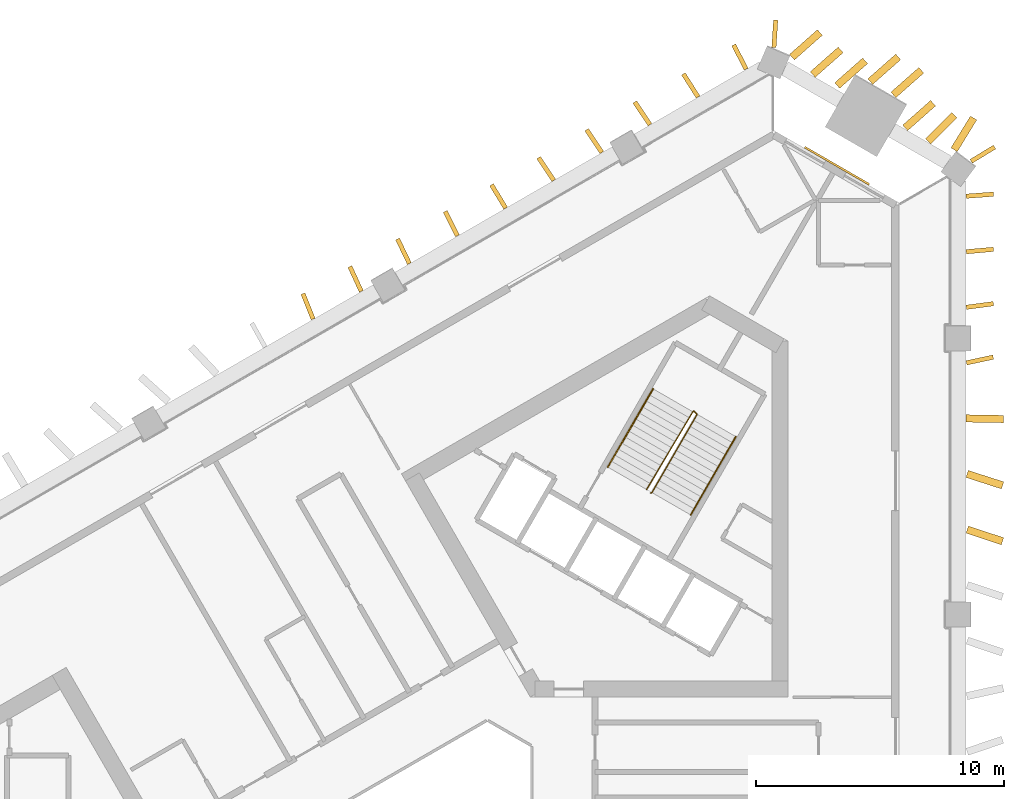
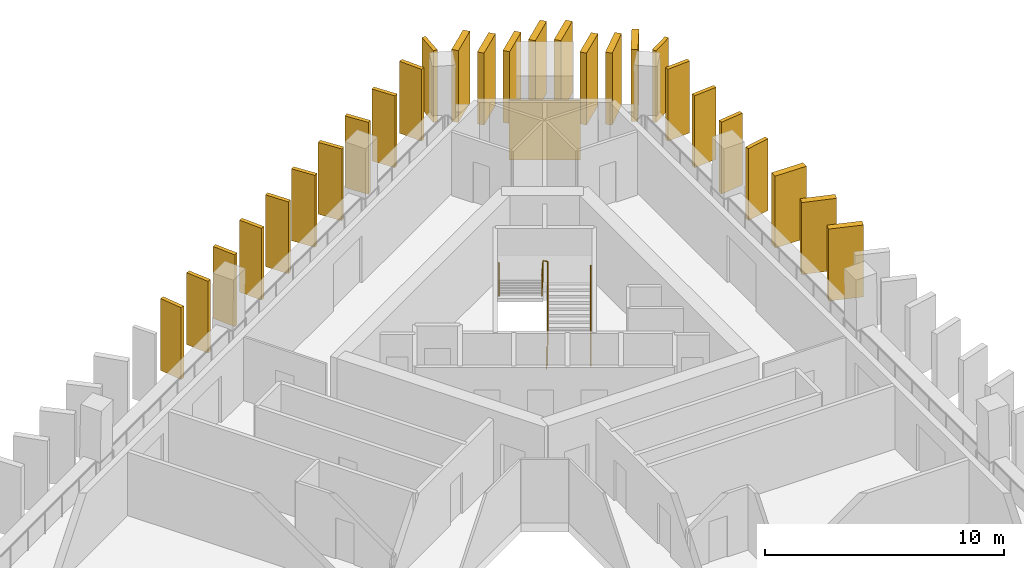
# One storey, part 11 of 11: 27 shading devices, 3 railings, 1 covering.
"""IFC4 building model written with IfcOpenShell, lengths in metres."""

import ifcopenshell
import ifcopenshell.guid

model = None  # the IFC model being written
_history = None  # IfcOwnerHistory: only IFC2X3 demands one
_inside = {}  # id of a spatial element -> (the spatial element, [elements in it])
_under = {}  # id of a project, library or spatial element -> (it, [spatial elements below it])
_declared = {}  # id of a project -> (the project, [libraries it declares])
_typed = {}  # id of a type object -> (the type object, [elements of that type])
_made_of = {}  # id of a material, layer set ... -> (it, [elements and type objects made of it])


def new_model(schema):
    """Start an empty IFC model of exactly this schema.

    Asked for "IFC4X3", IfcOpenShell would pick the latest addendum, in which some entities
    have other attributes; the version numbers below select the first issue.
    IFC2X3 requires an IfcOwnerHistory on every rooted entity: one is made here for all.
    """
    global model, _history
    if schema == "IFC4X3":
        model = ifcopenshell.file(schema_version=(4, 3, 0, 0))
    else:
        model = ifcopenshell.file(schema=schema)
    _inside.clear()
    _under.clear()
    _declared.clear()
    _typed.clear()
    _made_of.clear()
    _history = None
    if model.schema == "IFC2X3":
        org = make("IfcOrganization", Name="unknown")
        user = make(
            "IfcPersonAndOrganization",
            ThePerson=make("IfcPerson", FamilyName="unknown"),
            TheOrganization=org,
        )
        app = make(
            "IfcApplication",
            ApplicationDeveloper=org,
            Version="unknown",
            ApplicationFullName="unknown",
            ApplicationIdentifier="unknown",
        )
        _history = make(
            "IfcOwnerHistory",
            OwningUser=user,
            OwningApplication=app,
            ChangeAction="ADDED",
            CreationDate=0,
        )
    return model


def make(cls, **values):
    """One entity of the class cls with the attributes given. An attribute that is None is left unset."""
    return model.create_entity(
        cls, **{name: value for name, value in values.items() if value is not None}
    )


def rooted(cls, **values):
    """An entity with a GlobalId (a new one), such as an element, a storey or a relation."""
    return make(cls, GlobalId=ifcopenshell.guid.new(), OwnerHistory=_history, **values)


def si_unit(unit_type, name, prefix=None):
    """IfcSIUnit, for example si_unit("LENGTHUNIT", "METRE", prefix="MILLI")."""
    return make("IfcSIUnit", UnitType=unit_type, Prefix=prefix, Name=name)


def assignment(units):
    """IfcUnitAssignment: the units of a project."""
    return None if units is None else make("IfcUnitAssignment", Units=units)


def point(xyz):
    """IfcCartesianPoint."""
    return None if xyz is None else make("IfcCartesianPoint", Coordinates=xyz)


def direction(xyz):
    """IfcDirection."""
    return None if xyz is None else make("IfcDirection", DirectionRatios=xyz)


def frame(location, z_axis=None, x_axis=None):
    """IfcAxis2Placement3D, a coordinate frame: its origin and axes. An axis left out is left unset."""
    return make(
        "IfcAxis2Placement3D",
        Location=point(location),
        Axis=direction(z_axis),
        RefDirection=direction(x_axis),
    )


def frame_2d(location, x_axis=None):
    """IfcAxis2Placement2D, a coordinate frame in the plane: its origin and x axis."""
    return make(
        "IfcAxis2Placement2D", Location=point(location), RefDirection=direction(x_axis)
    )


def origin():
    """The frame at (0, 0, 0) with its axes left unset."""
    return frame((0.0, 0.0, 0.0))


def origin_2d():
    """The frame at (0, 0) in the plane with its x axis left unset."""
    return frame_2d((0.0, 0.0))


def place(relative_to, where):
    """IfcLocalPlacement: puts the frame where relative to a parent placement (None: the world)."""
    return make(
        "IfcLocalPlacement", PlacementRelTo=relative_to, RelativePlacement=where
    )


def context(
    kind, dimensions, precision=None, world=None, true_north=None, identifier=None
):
    """IfcGeometricRepresentationContext, for example the 3D "Model" context."""
    return make(
        "IfcGeometricRepresentationContext",
        ContextIdentifier=identifier,
        ContextType=kind,
        CoordinateSpaceDimension=dimensions,
        Precision=precision,
        WorldCoordinateSystem=world,
        TrueNorth=true_north,
    )


def subcontext(parent, identifier, kind, view, scale=None):
    """IfcGeometricRepresentationSubContext, for example "Body" below "Model"."""
    return make(
        "IfcGeometricRepresentationSubContext",
        ContextIdentifier=identifier,
        ContextType=kind,
        ParentContext=parent,
        TargetScale=scale,
        TargetView=view,
    )


def project(units=None, contexts=None):
    """IfcProject with its units and contexts."""
    return rooted(
        "IfcProject",
        Name="project",
        RepresentationContexts=contexts,
        UnitsInContext=assignment(units),
    )


def spatial(cls, under=None, at=None, **own):
    """A site, building, storey or space (cls), placed at a placement, below another one or the project."""
    s = rooted(cls, ObjectPlacement=at, **own)
    if under is not None:
        _under.setdefault(under.id(), (under, []))[1].append(s)
    return s


def profile(cls, at=None, kind="AREA", **sizes):
    """A parametric profile (cls). Its sizes go by their IFC names, for example OverallWidth=200.0."""
    return make(cls, ProfileType=kind, Position=at, **sizes)


def rectangle(**sizes):
    """IfcRectangleProfileDef."""
    return profile("IfcRectangleProfileDef", **sizes)


def circle(**sizes):
    """IfcCircleProfileDef."""
    return profile("IfcCircleProfileDef", **sizes)


def extrude(swept, where, along, depth):
    """IfcExtrudedAreaSolid: the profile swept, set in the frame where, extruded along a direction by depth."""
    return make(
        "IfcExtrudedAreaSolid",
        SweptArea=swept,
        Position=where,
        ExtrudedDirection=direction(along),
        Depth=depth,
    )


def shape(context_of_items, identifier, shape_type, items):
    """IfcShapeRepresentation: the items that make up one representation, for example the "Body"."""
    return make(
        "IfcShapeRepresentation",
        ContextOfItems=context_of_items,
        RepresentationIdentifier=identifier,
        RepresentationType=shape_type,
        Items=items,
    )


def material(Name=None, Category=None):
    """IfcMaterial."""
    return make("IfcMaterial", Name=Name, Category=Category)


def layer(
    of_material, thickness, ventilated=None, Name=None, Category=None, Priority=None
):
    """IfcMaterialLayer: one layer of a wall or slab, of a material (None: an air gap)."""
    return make(
        "IfcMaterialLayer",
        Material=of_material,
        LayerThickness=thickness,
        IsVentilated=ventilated,
        Name=Name,
        Category=Category,
        Priority=Priority,
    )


def layer_set(layers, Name=None):
    """IfcMaterialLayerSet."""
    return make("IfcMaterialLayerSet", MaterialLayers=layers, LayerSetName=Name)


def made_of(thing, what):
    """Note that an element or type object is made of a material, layer set ...; save() writes the relation."""
    if what is not None:
        _made_of.setdefault(what.id(), (what, []))[1].append(thing)
    return thing


def type_object(cls, material=None, **own):
    """A type object (cls), such as IfcWallType, which elements share."""
    return made_of(rooted(cls, **own), material)


def element(
    cls,
    number,
    at=None,
    inside=None,
    cuts=None,
    type_object=None,
    material=None,
    context=None,
    identifier="Body",
    shape_type=None,
    held_by="IfcProductDefinitionShape",
    body=None,
    shapes=None,
    **own,
):
    """One element of the class cls, such as IfcWall. Its Tag is "e" and its number.

    at: its placement. inside: the storey or other place that contains it. cuts: it is an
    opening in that element (IfcRelVoidsElement). A single representation is given by context,
    identifier, shape_type and body (its items); several are given by shapes. held_by: the class
    of the entity that holds the representations. save() writes the other relations.
    """
    e = rooted(cls, Tag="e%d" % number, ObjectPlacement=at, **own)
    if body is not None:
        shapes = [shape(context, identifier, shape_type, body)]
    if shapes is not None:
        e.Representation = make(held_by, Representations=shapes)
    if inside is not None:
        _inside.setdefault(inside.id(), (inside, []))[1].append(e)
    if cuts is not None:
        rooted(
            "IfcRelVoidsElement", RelatingBuildingElement=cuts, RelatedOpeningElement=e
        )
    if type_object is not None:
        _typed.setdefault(type_object.id(), (type_object, []))[1].append(e)
    return made_of(e, material)


def aggregate(whole, parts):
    """IfcRelAggregates: a whole, such as a stair, and the parts it consists of."""
    return rooted("IfcRelAggregates", RelatingObject=whole, RelatedObjects=parts)


def save(model, path):
    """Write the relations noted so far, then the file.

    IfcRelAggregates (storeys below a building ...), IfcRelContainedInSpatialStructure (elements
    in a storey), IfcRelDefinesByType, IfcRelAssociatesMaterial and IfcRelDeclares: one each for
    every whole, place, type object, material and project.
    """
    for whole, parts in _under.values():
        aggregate(whole, parts)
    for where, things in _inside.values():
        rooted(
            "IfcRelContainedInSpatialStructure",
            RelatedElements=things,
            RelatingStructure=where,
        )
    for kind, things in _typed.values():
        rooted("IfcRelDefinesByType", RelatedObjects=things, RelatingType=kind)
    for what, things in _made_of.values():
        rooted("IfcRelAssociatesMaterial", RelatedObjects=things, RelatingMaterial=what)
    for by, libraries in _declared.values():
        rooted("IfcRelDeclares", RelatingContext=by, RelatedDefinitions=libraries)
    model.write(path)


model = new_model("IFC4")

# Units and contexts
model_context = context("Model", 3, precision=1e-05, world=origin(), true_north=direction((0.0, 1.0)))
body_context = subcontext(model_context, "Body", "Model", "MODEL_VIEW")
ifc_project = project(units=[si_unit("LENGTHUNIT", "METRE"), si_unit("AREAUNIT", "SQUARE_METRE"), si_unit("VOLUMEUNIT", "CUBIC_METRE"), si_unit("PLANEANGLEUNIT", "RADIAN"), si_unit("MASSUNIT", "GRAM", prefix="KILO")], contexts=[model_context])

# Site, building, storey
site_placement = place(None, origin())
site = spatial("IfcSite", under=ifc_project, at=site_placement, CompositionType="ELEMENT")
building_placement = place(site_placement, origin())
building = spatial("IfcBuilding", under=site, at=building_placement, Name="Jabali Bay Hotel Tower and Convention Centre", CompositionType="ELEMENT")
storey_placement = place(building_placement, frame((0.0, 0.0, 143.800048828125)))
storey = spatial("IfcBuildingStorey", under=building, at=storey_placement, Name="L35", CompositionType="ELEMENT", Elevation=143.800048828125)

# Shading devices
ifc_material_1 = material(Name="Precast concrete C60", Category="concrete")
ifc_layer_1 = layer(ifc_material_1, 0.179931640625)
ifc_layer_set_1 = layer_set([ifc_layer_1], Name="Precast concrete C60")
shading_device_type_1 = type_object("IfcShadingDeviceType", Name="Precast fin 3680 x 1100", PredefinedType="USERDEFINED", material=ifc_layer_set_1)
for number, where, z_axis, x_axis, name in (
    (1, (97.063720703125, 101.252197265625, 0.010009765625), (0.0, 0.0, 1.0), (0.977899748617, 0.209074344802, 0.0), "Fin L35 022"),
    (2, (97.056884765625, 103.4892578125, 0.010009765625), (0.0, 0.0, 1.0), (0.991212386691, 0.132280022944, 0.0), "Fin L35 023"),
):
    element("IfcShadingDevice", number, at=place(storey_placement, frame(where, z_axis=z_axis, x_axis=x_axis)), inside=storey, type_object=shading_device_type_1, Name=name, ObjectType="FIN", PredefinedType="USERDEFINED", context=body_context, shape_type="SweptSolid", body=[
        extrude(rectangle(XDim=1.10009765625, YDim=0.179931640625, at=frame_2d((0.550048828125, 0.0))), origin(), (0.0, 0.0, 1.0), 3.679931640625),
    ])
for number, where, z_axis, x_axis, name in (
    (3, (97.052978515625, 105.726318359375, 0.010009765625), (0.0, 0.0, 1.0), (0.995971069315, 0.089675130823, 0.0), "Fin L35 024"),
    (4, (97.051513671875, 107.963623046875, 0.010009765625), (0.0, 0.0, 1.0), (0.997297350325, 0.073471048956, 0.0), "Fin L35 025"),
):
    element("IfcShadingDevice", number, at=place(storey_placement, frame(where, z_axis=z_axis, x_axis=x_axis)), inside=storey, type_object=shading_device_type_1, Name=name, ObjectType="FIN", PredefinedType="USERDEFINED", context=body_context, shape_type="SweptSolid", body=[
        extrude(rectangle(XDim=1.099853515625, YDim=0.179931640625, at=frame_2d((0.5498046875, 0.0))), origin(), (0.0, 0.0, 1.0), 3.679931640625),
    ])
for number, where, z_axis, x_axis, name in (
    (5, (88.1923828125, 113.076904296875, 0.010009765625), (0.0, 0.0, 1.0), (-0.457834348621, 0.889037518456, 0.0), "Fin L35 034"),
    (6, (86.25537109375, 111.9580078125, 0.010009765625), (0.0, 0.0, 1.0), (-0.536387172348, 0.843972038246, 0.0), "Fin L35 035"),
):
    element("IfcShadingDevice", number, at=place(storey_placement, frame(where, z_axis=z_axis, x_axis=x_axis)), inside=storey, type_object=shading_device_type_1, Name=name, ObjectType="FIN", PredefinedType="USERDEFINED", context=body_context, shape_type="SweptSolid", body=[
        extrude(rectangle(XDim=1.10009765625, YDim=0.179931640625, at=frame_2d((0.550048828125, 0.0))), origin(), (0.0, 0.0, 1.0), 3.679931640625),
    ])
shading_device_1_placement = place(storey_placement, frame((84.31689453125, 110.84130859375, 0.010009765625), z_axis=(0.0, 0.0, 1.0), x_axis=(-0.555417186305, 0.831571854476, 0.0)))
element("IfcShadingDevice", 7, at=shading_device_1_placement, inside=storey, type_object=shading_device_type_1, Name="Fin L35 036", ObjectType="FIN", PredefinedType="USERDEFINED", context=body_context, shape_type="SweptSolid", body=[
    extrude(rectangle(XDim=1.099853515625, YDim=0.179931640625, at=frame_2d((0.5498046875, 0.0))), origin(), (0.0, 0.0, 1.0), 3.679931640625),
])
shading_device_2_placement = place(storey_placement, frame((82.379638671875, 109.72265625, 0.010009765625), z_axis=(0.0, 0.0, 1.0), x_axis=(-0.555468147734, 0.831537814446, 0.0)))
element("IfcShadingDevice", 8, at=shading_device_2_placement, inside=storey, type_object=shading_device_type_1, Name="Fin L35 037", ObjectType="FIN", PredefinedType="USERDEFINED", context=body_context, shape_type="SweptSolid", body=[
    extrude(rectangle(XDim=1.10009765625, YDim=0.179931640625, at=frame_2d((0.550048828125, 0.0))), origin(), (0.0, 0.0, 1.0), 3.679931640625),
])
for number, where, z_axis, x_axis, name in (
    (9, (80.442138671875, 108.604248046875, 0.010009765625), (0.0, 0.0, 1.0), (-0.555826639947, 0.831298229473, 0.0), "Fin L35 038"),
    (10, (78.5068359375, 107.482177734375, 0.010009765625), (0.0, 0.0, 1.0), (-0.517430679521, 0.855725126364, 0.0), "Fin L35 039"),
):
    element("IfcShadingDevice", number, at=place(storey_placement, frame(where, z_axis=z_axis, x_axis=x_axis)), inside=storey, type_object=shading_device_type_1, Name=name, ObjectType="FIN", PredefinedType="USERDEFINED", context=body_context, shape_type="SweptSolid", body=[
        extrude(rectangle(XDim=1.099853515625, YDim=0.179931640625, at=frame_2d((0.5498046875, 0.0))), origin(), (0.0, 0.0, 1.0), 3.679931640625),
    ])
for number, where, z_axis, x_axis, name in (
    (11, (76.56787109375, 106.366455078125, 0.010009765625), (0.0, 0.0, 1.0), (-0.449165422653, 0.893448612452, 0.0), "Fin L35 040"),
    (12, (74.629638671875, 105.249267578125, 0.010009765625), (0.0, 0.0, 1.0), (-0.433221632149, 0.901287422212, 0.0), "Fin L35 041"),
):
    element("IfcShadingDevice", number, at=place(storey_placement, frame(where, z_axis=z_axis, x_axis=x_axis)), inside=storey, type_object=shading_device_type_1, Name=name, ObjectType="FIN", PredefinedType="USERDEFINED", context=body_context, shape_type="SweptSolid", body=[
        extrude(rectangle(XDim=1.10009765625, YDim=0.179931640625, at=frame_2d((0.550048828125, 0.0))), origin(), (0.0, 0.0, 1.0), 3.679931640625),
    ])
shading_device_3_placement = place(storey_placement, frame((72.69140625, 104.13232421875, 0.010009765625), z_axis=(0.0, 0.0, 1.0), x_axis=(-0.41595908255, 0.909383330419, 0.0)))
element("IfcShadingDevice", 13, at=shading_device_3_placement, inside=storey, type_object=shading_device_type_1, Name="Fin L35 042", ObjectType="FIN", PredefinedType="USERDEFINED", context=body_context, shape_type="SweptSolid", body=[
    extrude(rectangle(XDim=1.099853515625, YDim=0.179931640625, at=frame_2d((0.5498046875, 0.0))), origin(), (0.0, 0.0, 1.0), 3.679931640625),
])
shading_device_4_placement = place(storey_placement, frame((70.751953125, 103.017578125, 0.010009765625), z_axis=(0.0, 0.0, 1.0), x_axis=(-0.370625269858, 0.928782487638, 0.0)))
element("IfcShadingDevice", 14, at=shading_device_4_placement, inside=storey, type_object=shading_device_type_1, Name="Fin L35 043", ObjectType="FIN", PredefinedType="USERDEFINED", context=body_context, shape_type="SweptSolid", body=[
    extrude(rectangle(XDim=1.10009765625, YDim=0.179931640625, at=frame_2d((0.550048828125, 0.0))), origin(), (0.0, 0.0, 1.0), 3.679931640625),
])
shading_device_5_placement = place(storey_placement, frame((97.255126953125, 109.372314453125, 0.010009765625), z_axis=(0.0, 0.0, 1.0), x_axis=(0.855469026553, 0.517853980007, 0.0)))
element("IfcShadingDevice", 15, at=shading_device_5_placement, inside=storey, type_object=shading_device_type_1, Name="Fin L35 103", ObjectType="FIN", PredefinedType="USERDEFINED", context=body_context, shape_type="SweptSolid", body=[
    extrude(rectangle(XDim=1.099853515625, YDim=0.179931640625, at=frame_2d((0.5498046875, 0.0))), origin(), (0.0, 0.0, 1.0), 3.679931640625),
])
shading_device_6_placement = place(storey_placement, frame((89.3095703125, 113.95556640625, 0.010009765625), z_axis=(0.0, 0.0, 1.0), x_axis=(0.06525209751, 0.997868810902, 0.0)))
element("IfcShadingDevice", 16, at=shading_device_6_placement, inside=storey, type_object=shading_device_type_1, Name="Fin L35 104", ObjectType="FIN", PredefinedType="USERDEFINED", context=body_context, shape_type="SweptSolid", body=[
    extrude(rectangle(XDim=1.10009765625, YDim=0.179931640625, at=frame_2d((0.550048828125, 0.0))), origin(), (0.0, 0.0, 1.0), 3.679931640625),
])
ifc_layer_2 = layer(ifc_material_1, 0.300048828125)
ifc_layer_set_2 = layer_set([ifc_layer_2], Name="Precast concrete C60")
shading_device_type_2 = type_object("IfcShadingDeviceType", Name="Precast fin 3680 x 1500", PredefinedType="USERDEFINED", material=ifc_layer_set_2)
shading_device_7_placement = place(storey_placement, frame((97.09228515625, 94.541015625, 0.010009765625), z_axis=(0.0, 0.0, 1.0), x_axis=(0.948992121353, -0.315299783715, 0.0)))
element("IfcShadingDevice", 17, at=shading_device_7_placement, inside=storey, type_object=shading_device_type_2, Name="Fin L35 019", ObjectType="FIN", PredefinedType="USERDEFINED", context=body_context, shape_type="SweptSolid", body=[
    extrude(rectangle(XDim=1.499755859375, YDim=0.300048828125, at=frame_2d((0.75, 0.0))), origin(), (0.0, 0.0, 1.0), 3.679931640625),
])
for number, where, z_axis, x_axis, name in (
    (18, (97.0908203125, 96.778076171875, 0.010009765625), (0.0, 0.0, 1.0), (0.951825135568, -0.306641339844, 0.0), "Fin L35 020"),
    (19, (97.047607421875, 99.01513671875, 0.010009765625), (0.0, 0.0, 1.0), (0.999848337671, -0.017415557892, 0.0), "Fin L35 021"),
):
    element("IfcShadingDevice", number, at=place(storey_placement, frame(where, z_axis=z_axis, x_axis=x_axis)), inside=storey, type_object=shading_device_type_2, Name=name, ObjectType="FIN", PredefinedType="USERDEFINED", context=body_context, shape_type="SweptSolid", body=[
        extrude(rectangle(XDim=1.5, YDim=0.300048828125, at=frame_2d((0.75, 0.0))), origin(), (0.0, 0.0, 1.0), 3.679931640625),
    ])
shading_device_8_placement = place(storey_placement, frame((96.566162109375, 109.833740234375, 0.010009765625), z_axis=(0.0, 0.0, 1.0), x_axis=(0.522562057929, 0.852601252411, 0.0)))
element("IfcShadingDevice", 20, at=shading_device_8_placement, inside=storey, type_object=shading_device_type_2, Name="Fin L35 026", ObjectType="FIN", PredefinedType="USERDEFINED", context=body_context, shape_type="SweptSolid", body=[
    extrude(rectangle(XDim=1.500244140625, YDim=0.300048828125, at=frame_2d((0.75, 0.0))), origin(), (0.0, 0.0, 1.0), 3.679931640625),
])
shading_device_9_placement = place(storey_placement, frame((95.519775390625, 110.169921875, 0.010009765625), z_axis=(0.0, 0.0, 1.0), x_axis=(0.707676208286, 0.706536895163, 0.0)))
element("IfcShadingDevice", 21, at=shading_device_9_placement, inside=storey, type_object=shading_device_type_2, Name="Fin L35 027", ObjectType="FIN", PredefinedType="USERDEFINED", context=body_context, shape_type="SweptSolid", body=[
    extrude(rectangle(XDim=1.5, YDim=0.300048828125, at=frame_2d((0.75, 0.0))), origin(), (0.0, 0.0, 1.0), 3.679931640625),
])
shading_device_10_placement = place(storey_placement, frame((94.59375, 110.714599609375, 0.010009765625), z_axis=(0.0, 0.0, 1.0), x_axis=(0.749605089459, 0.661885344948, 0.0)))
element("IfcShadingDevice", 22, at=shading_device_10_placement, inside=storey, type_object=shading_device_type_2, Name="Fin L35 028", ObjectType="FIN", PredefinedType="USERDEFINED", context=body_context, shape_type="SweptSolid", body=[
    extrude(rectangle(XDim=1.500244140625, YDim=0.300048828125, at=frame_2d((0.75, 0.0))), origin(), (0.0, 0.0, 1.0), 3.679931640625),
])
shading_device_11_placement = place(storey_placement, frame((94.11962890625, 112.0419921875, 0.010009765625), z_axis=(0.0, 0.0, 1.0), x_axis=(0.749685839111, 0.66179388229, 0.0)))
element("IfcShadingDevice", 23, at=shading_device_11_placement, inside=storey, type_object=shading_device_type_2, Name="Fin L35 029", ObjectType="FIN", PredefinedType="USERDEFINED", context=body_context, shape_type="SweptSolid", body=[
    extrude(rectangle(XDim=1.5, YDim=0.300048828125, at=frame_2d((0.75, 0.0))), origin(), (0.0, 0.0, 1.0), 3.679931640625),
])
for number, where, z_axis, x_axis, name in (
    (24, (93.189208984375, 112.5791015625, 0.010009765625), (0.0, 0.0, 1.0), (0.749605089459, 0.661885344948, 0.0), "Fin L35 030"),
    (25, (91.85791015625, 112.421630859375, 0.010009765625), (0.0, 0.0, 1.0), (0.749605089459, 0.661885344948, 0.0), "Fin L35 031"),
):
    element("IfcShadingDevice", number, at=place(storey_placement, frame(where, z_axis=z_axis, x_axis=x_axis)), inside=storey, type_object=shading_device_type_2, Name=name, ObjectType="FIN", PredefinedType="USERDEFINED", context=body_context, shape_type="SweptSolid", body=[
        extrude(rectangle(XDim=1.500244140625, YDim=0.300048828125, at=frame_2d((0.75, 0.0))), origin(), (0.0, 0.0, 1.0), 3.679931640625),
    ])
shading_device_12_placement = place(storey_placement, frame((90.872314453125, 112.86328125, 0.010009765625), z_axis=(0.0, 0.0, 1.0), x_axis=(0.749685839111, 0.66179388229, 0.0)))
element("IfcShadingDevice", 26, at=shading_device_12_placement, inside=storey, type_object=shading_device_type_2, Name="Fin L35 032", ObjectType="FIN", PredefinedType="USERDEFINED", context=body_context, shape_type="SweptSolid", body=[
    extrude(rectangle(XDim=1.5, YDim=0.300048828125, at=frame_2d((0.75, 0.0))), origin(), (0.0, 0.0, 1.0), 3.679931640625),
])
shading_device_13_placement = place(storey_placement, frame((90.03564453125, 113.5625, 0.010009765625), z_axis=(0.0, 0.0, 1.0), x_axis=(0.749605089459, 0.661885344948, 0.0)))
element("IfcShadingDevice", 27, at=shading_device_13_placement, inside=storey, type_object=shading_device_type_2, Name="Fin L35 033", ObjectType="FIN", PredefinedType="USERDEFINED", context=body_context, shape_type="SweptSolid", body=[
    extrude(rectangle(XDim=1.500244140625, YDim=0.300048828125, at=frame_2d((0.75, 0.0))), origin(), (0.0, 0.0, 1.0), 3.679931640625),
])

# Covering
ifc_material_2 = material(Name="Precast concrete C40/50", Category="concrete")
ifc_layer_3 = layer(ifc_material_2, 0.080078125)
ifc_layer_set_3 = layer_set([ifc_layer_3], Name="Precast concrete C40/50")
covering_type = type_object("IfcCoveringType", Name="Relief panel 3000 x 3050", PredefinedType="CLADDING", material=ifc_layer_set_3)
covering_placement = place(storey_placement, frame((91.85107421875, 109.186767578125, 0.10009765625), z_axis=(0.0, 0.0, 1.0), x_axis=(0.866025346573, -0.500000099094, 0.0)))
element("IfcCovering", 28, at=covering_placement, inside=storey, type_object=covering_type, Name="Relief panel L35", PredefinedType="CLADDING", context=body_context, shape_type="SweptSolid", body=[
    extrude(rectangle(XDim=3.0, YDim=0.080078125, at=origin_2d()), origin(), (0.0, 0.0, 1.0), 3.050048828125),
])

# Railings
ifc_material_3 = material(Name="Steel Q355B", Category="steel")
railing_type_1 = type_object("IfcRailingType", Name="Stair guard 1100", PredefinedType="GUARDRAIL", material=ifc_material_3)
railing_1_placement = place(storey_placement, frame((84.329833984375, 96.010009765625, 0.0)))
element("IfcRailing", 29, at=railing_1_placement, inside=storey, type_object=railing_type_1, Name="L35 ST2 stair guard 1", PredefinedType="GUARDRAIL", context=body_context, shape_type="SweptSolid", body=[
    extrude(circle(Radius=0.02392578125, at=origin_2d()), frame((0.0, 0.0, 1.076171875), z_axis=(0.456201556387, 0.122196845461, 0.881446578591), x_axis=(-0.258736085224, 0.965948051503, 0.0)), (0.0, 0.0, 1.0), 0.14990234375),
    extrude(circle(Radius=0.02392578125, at=origin_2d()), frame((0.068359375, 0.018310546875, 1.2080078125), z_axis=(0.452190331055, 0.783190014029, 0.426775475427), x_axis=(-0.866018046521, 0.500012742938, 0.0)), (0.0, 0.0, 1.0), 4.02490234375),
    extrude(circle(Radius=0.02392578125, at=origin_2d()), frame((1.888427734375, 3.170654296875, 2.92578125), z_axis=(-0.718850276695, 0.695164929852, 0.0), x_axis=(-0.695164929852, -0.718850276695, 0.0)), (0.0, 0.0, 1.0), 0.2060546875),
    extrude(circle(Radius=0.02392578125, at=origin_2d()), frame((1.740234375, 3.31396484375, 2.92578125), z_axis=(-0.457445338502, -0.768046879266, 0.448160410493), x_axis=(0.859157857954, -0.511710636118, 0.0)), (0.0, 0.0, 1.0), 4.128173828125),
    extrude(circle(Radius=0.02099609375, at=origin_2d()), origin(), (0.0, 0.0, 1.0), 1.052001953125),
    extrude(circle(Radius=0.02099609375, at=origin_2d()), frame((0.068359375, 0.018310546875, 0.132080078125)), (0.0, 0.0, 1.0), 1.052001953125),
    extrude(circle(Radius=0.02099609375, at=origin_2d()), frame((0.5234375, 0.806396484375, 0.5615234375)), (0.0, 0.0, 1.0), 1.052001953125),
    extrude(circle(Radius=0.02099609375, at=origin_2d()), frame((0.978515625, 1.594482421875, 0.990966796875)), (0.0, 0.0, 1.0), 1.052001953125),
    extrude(circle(Radius=0.02099609375, at=origin_2d()), frame((1.433349609375, 2.382568359375, 1.42041015625)), (0.0, 0.0, 1.0), 1.052001953125),
    extrude(circle(Radius=0.02099609375, at=origin_2d()), frame((1.888427734375, 3.170654296875, 1.849853515625)), (0.0, 0.0, 1.0), 1.052001953125),
    extrude(circle(Radius=0.02099609375, at=origin_2d()), frame((1.740234375, 3.31396484375, 1.849853515625)), (0.0, 0.0, 1.0), 1.052001953125),
    extrude(circle(Radius=0.02099609375, at=origin_2d()), frame((1.26806640625, 2.521240234375, 2.3125)), (0.0, 0.0, 1.0), 1.052001953125),
    extrude(circle(Radius=0.02099609375, at=origin_2d()), frame((0.7958984375, 1.728515625, 2.77490234375)), (0.0, 0.0, 1.0), 1.052001953125),
    extrude(circle(Radius=0.02099609375, at=origin_2d()), frame((0.323974609375, 0.93603515625, 3.2373046875)), (0.0, 0.0, 1.0), 1.052001953125),
    extrude(circle(Radius=0.02099609375, at=origin_2d()), frame((-0.148193359375, 0.143310546875, 3.699951171875)), (0.0, 0.0, 1.0), 1.052001953125),
])
railing_type_2 = type_object("IfcRailingType", Name="Stair handrail 900", PredefinedType="HANDRAIL", material=ifc_material_3)
railing_2_placement = place(storey_placement, frame((85.95703125, 95.128173828125, 0.132080078125)))
element("IfcRailing", 30, at=railing_2_placement, inside=storey, type_object=railing_type_2, Name="L35 ST2 stair handrail 1", PredefinedType="HANDRAIL", context=body_context, shape_type="SweptSolid", body=[
    extrude(circle(Radius=0.02392578125, at=origin_2d()), frame((0.0, 0.0, 0.8759765625), z_axis=(0.452190331055, 0.783190014029, 0.426775475427), x_axis=(-0.866018046521, 0.500012742938, 0.0)), (0.0, 0.0, 1.0), 4.02490234375),
    extrude(circle(Radius=0.02099609375, at=origin_2d()), origin(), (0.0, 0.0, 1.0), 0.851806640625),
    extrude(circle(Radius=0.02099609375, at=origin_2d()), frame((0.455078125, 0.7880859375, 0.429443359375)), (0.0, 0.0, 1.0), 0.851806640625),
    extrude(circle(Radius=0.02099609375, at=origin_2d()), frame((0.91015625, 1.576171875, 0.85888671875)), (0.0, 0.0, 1.0), 0.851806640625),
    extrude(circle(Radius=0.02099609375, at=origin_2d()), frame((1.364990234375, 2.3642578125, 1.288330078125)), (0.0, 0.0, 1.0), 0.851806640625),
    extrude(circle(Radius=0.02099609375, at=origin_2d()), frame((1.820068359375, 3.15234375, 1.7177734375)), (0.0, 0.0, 1.0), 0.851806640625),
])
railing_3_placement = place(storey_placement, frame((84.44287109375, 100.20556640625, 1.982177734375)))
element("IfcRailing", 31, at=railing_3_placement, inside=storey, type_object=railing_type_2, Name="L35 ST2 stair handrail 2", PredefinedType="HANDRAIL", context=body_context, shape_type="SweptSolid", body=[
    extrude(circle(Radius=0.02392578125, at=origin_2d()), frame((0.0, 0.0, 0.8759765625), z_axis=(-0.452190331055, -0.783190014029, 0.426775475427), x_axis=(0.866018046521, -0.500012742938, 0.0)), (0.0, 0.0, 1.0), 4.02490234375),
    extrude(circle(Radius=0.02099609375, at=origin_2d()), origin(), (0.0, 0.0, 1.0), 0.851806640625),
    extrude(circle(Radius=0.02099609375, at=origin_2d()), frame((-0.455078125, -0.7880859375, 0.429443359375)), (0.0, 0.0, 1.0), 0.851806640625),
    extrude(circle(Radius=0.02099609375, at=origin_2d()), frame((-0.91015625, -1.576171875, 0.85888671875)), (0.0, 0.0, 1.0), 0.851806640625),
    extrude(circle(Radius=0.02099609375, at=origin_2d()), frame((-1.364990234375, -2.3642578125, 1.288330078125)), (0.0, 0.0, 1.0), 0.851806640625),
    extrude(circle(Radius=0.02099609375, at=origin_2d()), frame((-1.820068359375, -3.15234375, 1.7177734375)), (0.0, 0.0, 1.0), 0.851806640625),
])

save(model, "model.ifc")
